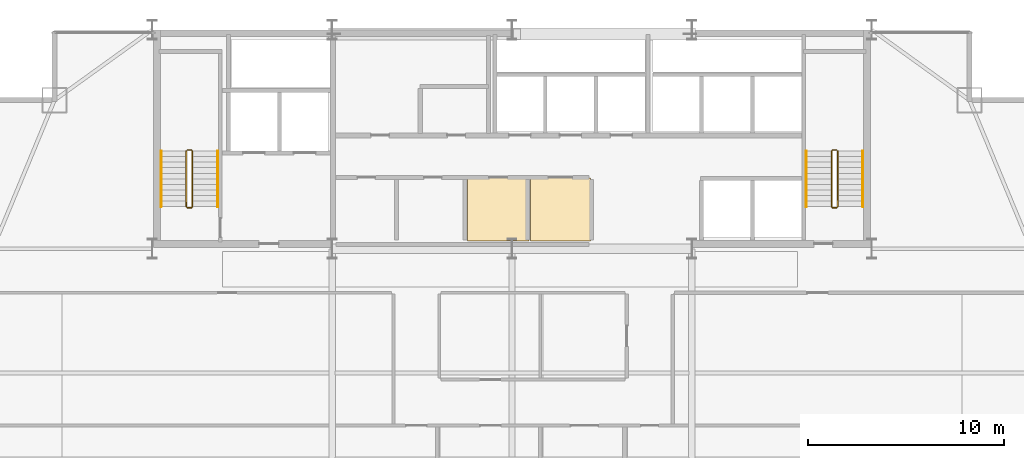
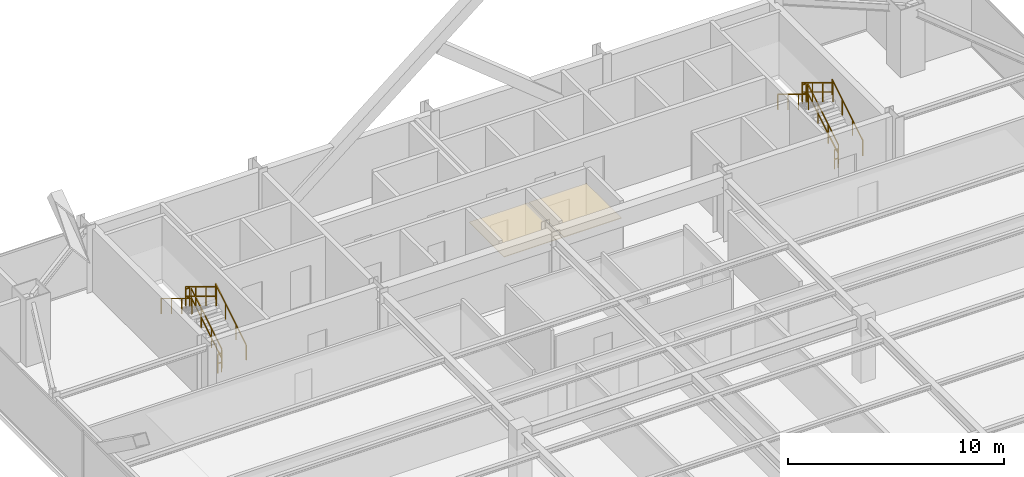
# One storey, part 34 of 34: 12 railings, 2 coverings.
"""IFC4 building model written with IfcOpenShell, lengths in metres."""

from ifc_helpers import new_model, si_unit, direction, frame, origin, origin_2d, place, context, subcontext, project, spatial, polyline, rectangle, outline, extrude, material, layer, layer_set, type_object, element, save


model = new_model("IFC4")

# Units and contexts
model_context = context("Model", 3, precision=1e-05, world=origin(), true_north=direction((0.0, 1.0)))
body_context = subcontext(model_context, "Body", "Model", "MODEL_VIEW")
ifc_project = project(units=[si_unit("LENGTHUNIT", "METRE"), si_unit("AREAUNIT", "SQUARE_METRE"), si_unit("VOLUMEUNIT", "CUBIC_METRE"), si_unit("PLANEANGLEUNIT", "RADIAN"), si_unit("MASSUNIT", "GRAM", prefix="KILO")], contexts=[model_context])

# Site, building, storey
site_placement = place(None, origin())
site = spatial("IfcSite", under=ifc_project, at=site_placement, CompositionType="ELEMENT")
building_placement = place(site_placement, origin())
building = spatial("IfcBuilding", under=site, at=building_placement, Name="Varnel Quay Broadcast Tower", CompositionType="ELEMENT")
storey_placement = place(building_placement, frame((0.0, 0.0, 161.0)))
storey = spatial("IfcBuildingStorey", under=building, at=storey_placement, Name="L39", CompositionType="ELEMENT", Elevation=161.0)

# Coverings
ifc_material_1 = material(Name="Micro-Perforated Acoustic Ceiling Tile")
ifc_layer = layer(ifc_material_1, 0.0400390625, Name="Micro-Perforated Acoustic Ceiling Tile")
ifc_layer_set = layer_set([ifc_layer], Name="Micro-Perforated Acoustic Ceiling Tile")
covering_type = type_object("IfcCoveringType", Name="Cov_AcousticCeiling", PredefinedType="CEILING", material=ifc_layer_set)
covering_1_placement = place(storey_placement, frame((0.0, 0.0, 2.580078125)))
element("IfcCovering", 1, at=covering_1_placement, inside=storey, type_object=covering_type, Name="L39 Broadcast First-Aid & Quiet Room Acoustic Ceiling", PredefinedType="CEILING", context=body_context, shape_type="SweptSolid", body=[
    extrude(outline(polyline([(31.735107421875, 35.985107421875), (34.864990234375, 35.985107421875), (34.864990234375, 39.215087890625), (31.735107421875, 39.215087890625), (31.735107421875, 35.985107421875)])), origin(), (0.0, 0.0, 1.0), 0.0400390625),
])
covering_2_placement = place(storey_placement, frame((0.0, 0.0, 2.580078125)))
element("IfcCovering", 2, at=covering_2_placement, inside=storey, type_object=covering_type, Name="L39 Zone Lighting Dimmer Room Acoustic Ceiling", PredefinedType="CEILING", context=body_context, shape_type="SweptSolid", body=[
    extrude(outline(polyline([(34.93505859375, 35.985107421875), (38.014892578125, 35.985107421875), (38.014892578125, 39.215087890625), (34.93505859375, 39.215087890625), (34.93505859375, 35.985107421875)])), origin(), (0.0, 0.0, 1.0), 0.0400390625),
])

# Railings
ifc_material_2 = material(Name="Painted Steel Guard and Handrail CSA G40.21 350W", Category="steel")
railing_type_1 = type_object("IfcRailingType", Name="Rail_StairGuard1100", PredefinedType="GUARDRAIL", material=ifc_material_2)
railing_1_placement = place(storey_placement, frame((17.64990234375, 37.75, 0.172607421875)))
element("IfcRailing", 3, at=railing_1_placement, inside=storey, type_object=railing_type_1, Name="L39 ST-01 stair guard 1", PredefinedType="GUARDRAIL", context=body_context, shape_type="SweptSolid", body=[
    extrude(rectangle(XDim=0.048095703125, YDim=0.048095703125, at=origin_2d()), frame((0.0, 0.0, 1.076171875), z_axis=(0.0, 0.855202751398, 0.518293598264), x_axis=(-1.0, 0.0, 0.0)), (0.0, 0.0, 1.0), 3.332763671875),
    extrude(rectangle(XDim=0.048095703125, YDim=0.048095703125, at=origin_2d()), frame((0.0, 0.0, 0.550048828125), z_axis=(0.0, 0.855202751398, 0.518293598264), x_axis=(-1.0, 0.0, 0.0)), (0.0, 0.0, 1.0), 3.332763671875),
    extrude(rectangle(XDim=0.0419921875, YDim=0.0419921875, at=origin_2d()), origin(), (0.0, 0.0, 1.0), 1.052001953125),
    extrude(rectangle(XDim=0.0419921875, YDim=0.0419921875, at=origin_2d()), frame((0.0, 0.949951171875, 0.57568359375)), (0.0, 0.0, 1.0), 1.052001953125),
    extrude(rectangle(XDim=0.0419921875, YDim=0.0419921875, at=origin_2d()), frame((0.0, 1.900146484375, 1.151611328125)), (0.0, 0.0, 1.0), 1.052001953125),
    extrude(rectangle(XDim=0.0419921875, YDim=0.0419921875, at=origin_2d()), frame((0.0, 2.85009765625, 1.727294921875)), (0.0, 0.0, 1.0), 1.052001953125),
])
railing_2_placement = place(storey_placement, frame((17.60009765625, 40.64990234375, 1.89990234375)))
element("IfcRailing", 4, at=railing_2_placement, inside=storey, type_object=railing_type_1, Name="L39 ST-01 stair guard 2", PredefinedType="GUARDRAIL", context=body_context, shape_type="SweptSolid", body=[
    extrude(rectangle(XDim=0.048095703125, YDim=0.048095703125, at=origin_2d()), frame((0.0, 0.0, 1.076171875), z_axis=(-1.0, 0.0, 0.0), x_axis=(0.0, -1.0, 0.0)), (0.0, 0.0, 1.0), 0.2001953125),
    extrude(rectangle(XDim=0.048095703125, YDim=0.048095703125, at=origin_2d()), frame((0.0, 0.0, 0.550048828125), z_axis=(-1.0, 0.0, 0.0), x_axis=(0.0, -1.0, 0.0)), (0.0, 0.0, 1.0), 0.2001953125),
    extrude(rectangle(XDim=0.0419921875, YDim=0.0419921875, at=origin_2d()), origin(), (0.0, 0.0, 1.0), 1.052001953125),
    extrude(rectangle(XDim=0.0419921875, YDim=0.0419921875, at=origin_2d()), frame((-0.2001953125, 0.0, 0.0)), (0.0, 0.0, 1.0), 1.052001953125),
])
railing_3_placement = place(storey_placement, frame((17.35009765625, 40.60009765625, 2.07275390625)))
element("IfcRailing", 5, at=railing_3_placement, inside=storey, type_object=railing_type_1, Name="L39 ST-01 stair guard 3", PredefinedType="GUARDRAIL", context=body_context, shape_type="SweptSolid", body=[
    extrude(rectangle(XDim=0.048095703125, YDim=0.048095703125, at=origin_2d()), frame((0.0, 0.0, 1.076171875), z_axis=(0.0, -0.855202751398, 0.518293598264), x_axis=(1.0, 0.0, 0.0)), (0.0, 0.0, 1.0), 3.332763671875),
    extrude(rectangle(XDim=0.048095703125, YDim=0.048095703125, at=origin_2d()), frame((0.0, 0.0, 0.550048828125), z_axis=(0.0, -0.855202751398, 0.518293598264), x_axis=(1.0, 0.0, 0.0)), (0.0, 0.0, 1.0), 3.332763671875),
    extrude(rectangle(XDim=0.0419921875, YDim=0.0419921875, at=origin_2d()), origin(), (0.0, 0.0, 1.0), 1.052001953125),
    extrude(rectangle(XDim=0.0419921875, YDim=0.0419921875, at=origin_2d()), frame((0.0, -0.949951171875, 0.57568359375)), (0.0, 0.0, 1.0), 1.052001953125),
    extrude(rectangle(XDim=0.0419921875, YDim=0.0419921875, at=origin_2d()), frame((0.0, -1.900146484375, 1.151611328125)), (0.0, 0.0, 1.0), 1.052001953125),
    extrude(rectangle(XDim=0.0419921875, YDim=0.0419921875, at=origin_2d()), frame((0.0, -2.85009765625, 1.727294921875)), (0.0, 0.0, 1.0), 1.052001953125),
])
railing_4_placement = place(storey_placement, frame((17.60009765625, 37.699951171875, 0.0)))
element("IfcRailing", 6, at=railing_4_placement, inside=storey, type_object=railing_type_1, Name="L39 ST-01 stair guard 4", PredefinedType="GUARDRAIL", context=body_context, shape_type="SweptSolid", body=[
    extrude(rectangle(XDim=0.048095703125, YDim=0.048095703125, at=origin_2d()), frame((0.0, 0.0, 1.076171875), z_axis=(-1.0, 0.0, 0.0), x_axis=(0.0, -1.0, 0.0)), (0.0, 0.0, 1.0), 0.2001953125),
    extrude(rectangle(XDim=0.048095703125, YDim=0.048095703125, at=origin_2d()), frame((0.0, 0.0, 0.550048828125), z_axis=(-1.0, 0.0, 0.0), x_axis=(0.0, -1.0, 0.0)), (0.0, 0.0, 1.0), 0.2001953125),
    extrude(rectangle(XDim=0.0419921875, YDim=0.0419921875, at=origin_2d()), origin(), (0.0, 0.0, 1.0), 1.052001953125),
    extrude(rectangle(XDim=0.0419921875, YDim=0.0419921875, at=origin_2d()), frame((-0.2001953125, 0.0, 0.0)), (0.0, 0.0, 1.0), 1.052001953125),
])
railing_5_placement = place(storey_placement, frame((50.64990234375, 37.75, 0.172607421875)))
element("IfcRailing", 7, at=railing_5_placement, inside=storey, type_object=railing_type_1, Name="L39 ST-02 stair guard 1", PredefinedType="GUARDRAIL", context=body_context, shape_type="SweptSolid", body=[
    extrude(rectangle(XDim=0.048095703125, YDim=0.048095703125, at=origin_2d()), frame((0.0, 0.0, 1.076171875), z_axis=(0.0, 0.855202751398, 0.518293598264), x_axis=(-1.0, 0.0, 0.0)), (0.0, 0.0, 1.0), 3.332763671875),
    extrude(rectangle(XDim=0.048095703125, YDim=0.048095703125, at=origin_2d()), frame((0.0, 0.0, 0.550048828125), z_axis=(0.0, 0.855202751398, 0.518293598264), x_axis=(-1.0, 0.0, 0.0)), (0.0, 0.0, 1.0), 3.332763671875),
    extrude(rectangle(XDim=0.0419921875, YDim=0.0419921875, at=origin_2d()), origin(), (0.0, 0.0, 1.0), 1.052001953125),
    extrude(rectangle(XDim=0.0419921875, YDim=0.0419921875, at=origin_2d()), frame((0.0, 0.949951171875, 0.57568359375)), (0.0, 0.0, 1.0), 1.052001953125),
    extrude(rectangle(XDim=0.0419921875, YDim=0.0419921875, at=origin_2d()), frame((0.0, 1.900146484375, 1.151611328125)), (0.0, 0.0, 1.0), 1.052001953125),
    extrude(rectangle(XDim=0.0419921875, YDim=0.0419921875, at=origin_2d()), frame((0.0, 2.85009765625, 1.727294921875)), (0.0, 0.0, 1.0), 1.052001953125),
])
railing_6_placement = place(storey_placement, frame((50.60009765625, 40.64990234375, 1.89990234375)))
element("IfcRailing", 8, at=railing_6_placement, inside=storey, type_object=railing_type_1, Name="L39 ST-02 stair guard 2", PredefinedType="GUARDRAIL", context=body_context, shape_type="SweptSolid", body=[
    extrude(rectangle(XDim=0.048095703125, YDim=0.048095703125, at=origin_2d()), frame((0.0, 0.0, 1.076171875), z_axis=(-1.0, 0.0, 0.0), x_axis=(0.0, -1.0, 0.0)), (0.0, 0.0, 1.0), 0.2001953125),
    extrude(rectangle(XDim=0.048095703125, YDim=0.048095703125, at=origin_2d()), frame((0.0, 0.0, 0.550048828125), z_axis=(-1.0, 0.0, 0.0), x_axis=(0.0, -1.0, 0.0)), (0.0, 0.0, 1.0), 0.2001953125),
    extrude(rectangle(XDim=0.0419921875, YDim=0.0419921875, at=origin_2d()), origin(), (0.0, 0.0, 1.0), 1.052001953125),
    extrude(rectangle(XDim=0.0419921875, YDim=0.0419921875, at=origin_2d()), frame((-0.2001953125, 0.0, 0.0)), (0.0, 0.0, 1.0), 1.052001953125),
])
railing_7_placement = place(storey_placement, frame((50.35009765625, 40.60009765625, 2.07275390625)))
element("IfcRailing", 9, at=railing_7_placement, inside=storey, type_object=railing_type_1, Name="L39 ST-02 stair guard 3", PredefinedType="GUARDRAIL", context=body_context, shape_type="SweptSolid", body=[
    extrude(rectangle(XDim=0.048095703125, YDim=0.048095703125, at=origin_2d()), frame((0.0, 0.0, 1.076171875), z_axis=(0.0, -0.855202751398, 0.518293598264), x_axis=(1.0, 0.0, 0.0)), (0.0, 0.0, 1.0), 3.332763671875),
    extrude(rectangle(XDim=0.048095703125, YDim=0.048095703125, at=origin_2d()), frame((0.0, 0.0, 0.550048828125), z_axis=(0.0, -0.855202751398, 0.518293598264), x_axis=(1.0, 0.0, 0.0)), (0.0, 0.0, 1.0), 3.332763671875),
    extrude(rectangle(XDim=0.0419921875, YDim=0.0419921875, at=origin_2d()), origin(), (0.0, 0.0, 1.0), 1.052001953125),
    extrude(rectangle(XDim=0.0419921875, YDim=0.0419921875, at=origin_2d()), frame((0.0, -0.949951171875, 0.57568359375)), (0.0, 0.0, 1.0), 1.052001953125),
    extrude(rectangle(XDim=0.0419921875, YDim=0.0419921875, at=origin_2d()), frame((0.0, -1.900146484375, 1.151611328125)), (0.0, 0.0, 1.0), 1.052001953125),
    extrude(rectangle(XDim=0.0419921875, YDim=0.0419921875, at=origin_2d()), frame((0.0, -2.85009765625, 1.727294921875)), (0.0, 0.0, 1.0), 1.052001953125),
])
railing_8_placement = place(storey_placement, frame((50.60009765625, 37.699951171875, 0.0)))
element("IfcRailing", 10, at=railing_8_placement, inside=storey, type_object=railing_type_1, Name="L39 ST-02 stair guard 4", PredefinedType="GUARDRAIL", context=body_context, shape_type="SweptSolid", body=[
    extrude(rectangle(XDim=0.048095703125, YDim=0.048095703125, at=origin_2d()), frame((0.0, 0.0, 1.076171875), z_axis=(-1.0, 0.0, 0.0), x_axis=(0.0, -1.0, 0.0)), (0.0, 0.0, 1.0), 0.2001953125),
    extrude(rectangle(XDim=0.048095703125, YDim=0.048095703125, at=origin_2d()), frame((0.0, 0.0, 0.550048828125), z_axis=(-1.0, 0.0, 0.0), x_axis=(0.0, -1.0, 0.0)), (0.0, 0.0, 1.0), 0.2001953125),
    extrude(rectangle(XDim=0.0419921875, YDim=0.0419921875, at=origin_2d()), origin(), (0.0, 0.0, 1.0), 1.052001953125),
    extrude(rectangle(XDim=0.0419921875, YDim=0.0419921875, at=origin_2d()), frame((-0.2001953125, 0.0, 0.0)), (0.0, 0.0, 1.0), 1.052001953125),
])
railing_type_2 = type_object("IfcRailingType", Name="Rail_StairHandrail900", PredefinedType="HANDRAIL", material=ifc_material_2)
railing_9_placement = place(storey_placement, frame((18.949951171875, 37.75, 0.172607421875)))
element("IfcRailing", 11, at=railing_9_placement, inside=storey, type_object=railing_type_2, Name="L39 ST-01 stair handrail 1", PredefinedType="HANDRAIL", context=body_context, shape_type="SweptSolid", body=[
    extrude(rectangle(XDim=0.048095703125, YDim=0.048095703125, at=origin_2d()), frame((0.0, 0.0, 0.8759765625), z_axis=(0.0, 0.855202751398, 0.518293598264), x_axis=(-1.0, 0.0, 0.0)), (0.0, 0.0, 1.0), 3.332763671875),
    extrude(rectangle(XDim=0.0419921875, YDim=0.0419921875, at=origin_2d()), origin(), (0.0, 0.0, 1.0), 0.851806640625),
    extrude(rectangle(XDim=0.0419921875, YDim=0.0419921875, at=origin_2d()), frame((0.0, 0.949951171875, 0.57568359375)), (0.0, 0.0, 1.0), 0.851806640625),
    extrude(rectangle(XDim=0.0419921875, YDim=0.0419921875, at=origin_2d()), frame((0.0, 1.900146484375, 1.151611328125)), (0.0, 0.0, 1.0), 0.851806640625),
    extrude(rectangle(XDim=0.0419921875, YDim=0.0419921875, at=origin_2d()), frame((0.0, 2.85009765625, 1.727294921875)), (0.0, 0.0, 1.0), 0.851806640625),
])
railing_10_placement = place(storey_placement, frame((16.050048828125, 40.60009765625, 2.07275390625)))
element("IfcRailing", 12, at=railing_10_placement, inside=storey, type_object=railing_type_2, Name="L39 ST-01 stair handrail 2", PredefinedType="HANDRAIL", context=body_context, shape_type="SweptSolid", body=[
    extrude(rectangle(XDim=0.048095703125, YDim=0.048095703125, at=origin_2d()), frame((0.0, 0.0, 0.8759765625), z_axis=(0.0, -0.855202751398, 0.518293598264), x_axis=(1.0, 0.0, 0.0)), (0.0, 0.0, 1.0), 3.332763671875),
    extrude(rectangle(XDim=0.0419921875, YDim=0.0419921875, at=origin_2d()), origin(), (0.0, 0.0, 1.0), 0.851806640625),
    extrude(rectangle(XDim=0.0419921875, YDim=0.0419921875, at=origin_2d()), frame((0.0, -0.949951171875, 0.57568359375)), (0.0, 0.0, 1.0), 0.851806640625),
    extrude(rectangle(XDim=0.0419921875, YDim=0.0419921875, at=origin_2d()), frame((0.0, -1.900146484375, 1.151611328125)), (0.0, 0.0, 1.0), 0.851806640625),
    extrude(rectangle(XDim=0.0419921875, YDim=0.0419921875, at=origin_2d()), frame((0.0, -2.85009765625, 1.727294921875)), (0.0, 0.0, 1.0), 0.851806640625),
])
railing_11_placement = place(storey_placement, frame((51.949951171875, 37.75, 0.172607421875)))
element("IfcRailing", 13, at=railing_11_placement, inside=storey, type_object=railing_type_2, Name="L39 ST-02 stair handrail 1", PredefinedType="HANDRAIL", context=body_context, shape_type="SweptSolid", body=[
    extrude(rectangle(XDim=0.048095703125, YDim=0.048095703125, at=origin_2d()), frame((0.0, 0.0, 0.8759765625), z_axis=(0.0, 0.855202751398, 0.518293598264), x_axis=(-1.0, 0.0, 0.0)), (0.0, 0.0, 1.0), 3.332763671875),
    extrude(rectangle(XDim=0.0419921875, YDim=0.0419921875, at=origin_2d()), origin(), (0.0, 0.0, 1.0), 0.851806640625),
    extrude(rectangle(XDim=0.0419921875, YDim=0.0419921875, at=origin_2d()), frame((0.0, 0.949951171875, 0.57568359375)), (0.0, 0.0, 1.0), 0.851806640625),
    extrude(rectangle(XDim=0.0419921875, YDim=0.0419921875, at=origin_2d()), frame((0.0, 1.900146484375, 1.151611328125)), (0.0, 0.0, 1.0), 0.851806640625),
    extrude(rectangle(XDim=0.0419921875, YDim=0.0419921875, at=origin_2d()), frame((0.0, 2.85009765625, 1.727294921875)), (0.0, 0.0, 1.0), 0.851806640625),
])
railing_12_placement = place(storey_placement, frame((49.050048828125, 40.60009765625, 2.07275390625)))
element("IfcRailing", 14, at=railing_12_placement, inside=storey, type_object=railing_type_2, Name="L39 ST-02 stair handrail 2", PredefinedType="HANDRAIL", context=body_context, shape_type="SweptSolid", body=[
    extrude(rectangle(XDim=0.048095703125, YDim=0.048095703125, at=origin_2d()), frame((0.0, 0.0, 0.8759765625), z_axis=(0.0, -0.855202751398, 0.518293598264), x_axis=(1.0, 0.0, 0.0)), (0.0, 0.0, 1.0), 3.332763671875),
    extrude(rectangle(XDim=0.0419921875, YDim=0.0419921875, at=origin_2d()), origin(), (0.0, 0.0, 1.0), 0.851806640625),
    extrude(rectangle(XDim=0.0419921875, YDim=0.0419921875, at=origin_2d()), frame((0.0, -0.949951171875, 0.57568359375)), (0.0, 0.0, 1.0), 0.851806640625),
    extrude(rectangle(XDim=0.0419921875, YDim=0.0419921875, at=origin_2d()), frame((0.0, -1.900146484375, 1.151611328125)), (0.0, 0.0, 1.0), 0.851806640625),
    extrude(rectangle(XDim=0.0419921875, YDim=0.0419921875, at=origin_2d()), frame((0.0, -2.85009765625, 1.727294921875)), (0.0, 0.0, 1.0), 0.851806640625),
])

save(model, "model.ifc")
